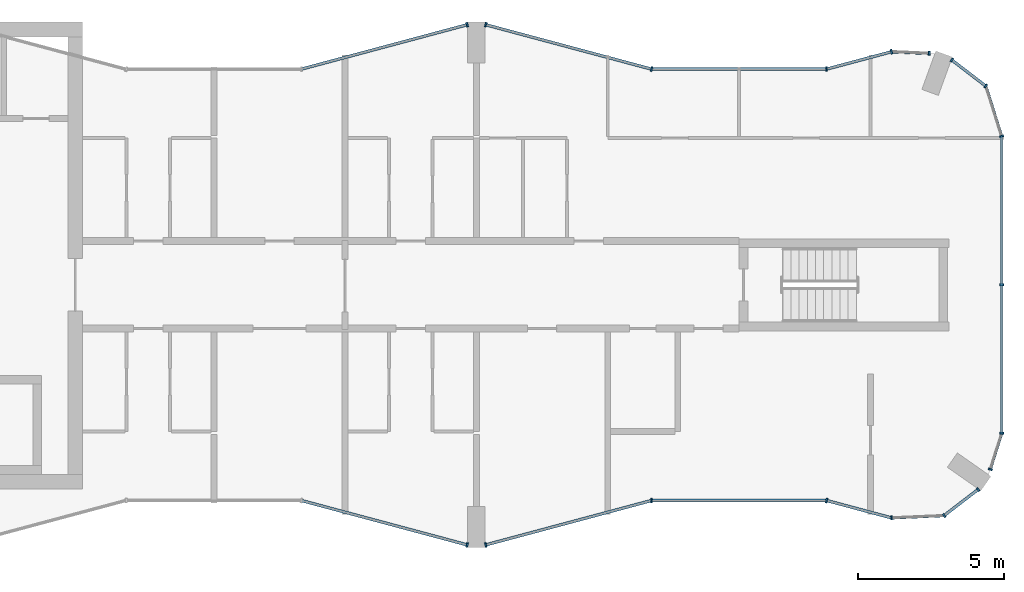
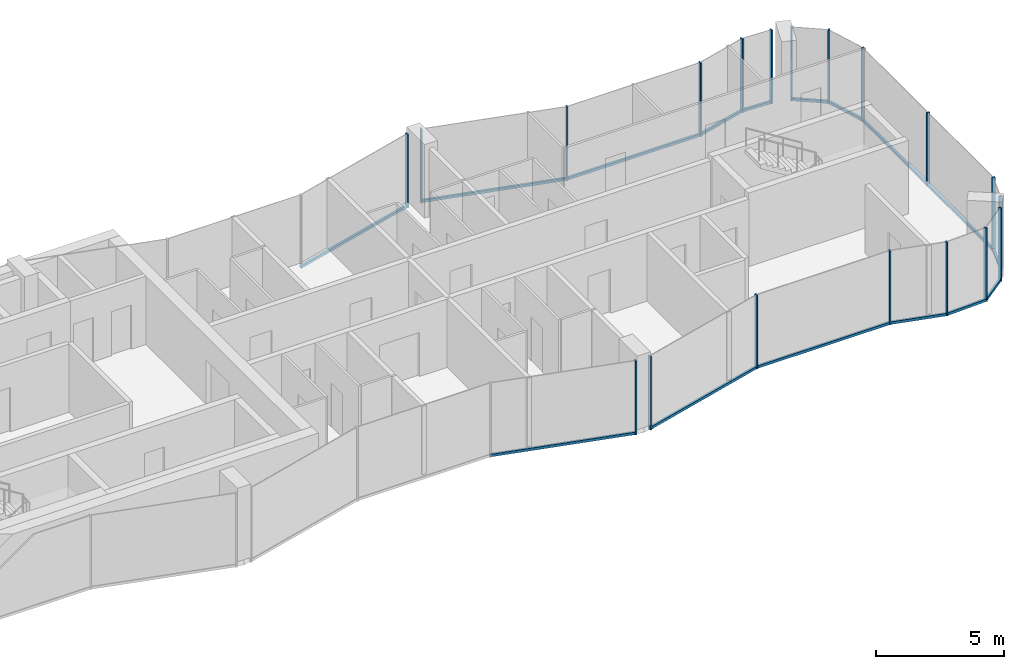
# One storey, part 5 of 10: 34 members, 15 elements without a shape of their own.
"""IFC4 building model written with IfcOpenShell, lengths in metres."""

from ifc_helpers import new_model, si_unit, direction, frame, origin, origin_2d, place, context, subcontext, project, spatial, rectangle, extrude, material, layer, layer_set, material_profile, profile_set, type_object, element, aggregate, save


model = new_model("IFC4")

# Units and contexts
model_context = context("Model", 3, precision=1e-05, world=origin(), true_north=direction((0.0, 1.0)))
body_context = subcontext(model_context, "Body", "Model", "MODEL_VIEW")
ifc_project = project(units=[si_unit("LENGTHUNIT", "METRE"), si_unit("AREAUNIT", "SQUARE_METRE"), si_unit("VOLUMEUNIT", "CUBIC_METRE"), si_unit("PLANEANGLEUNIT", "RADIAN"), si_unit("MASSUNIT", "GRAM", prefix="KILO")], contexts=[model_context])

# Site, building, storey
site_placement = place(None, origin())
site = spatial("IfcSite", under=ifc_project, at=site_placement, CompositionType="ELEMENT")
building_placement = place(site_placement, origin())
building = spatial("IfcBuilding", under=site, at=building_placement, Name="Plateau Cross Towers", CompositionType="ELEMENT")
storey_placement = place(building_placement, frame((0.0, 0.0, 252.89990234375)))
storey = spatial("IfcBuildingStorey", under=building, at=storey_placement, Name="L66", CompositionType="ELEMENT", Elevation=252.89990234375)

# Curtain wall, member
ifc_material_1 = material(Name="Dark low-iron glass", Category="glass")
ifc_layer_1 = layer(ifc_material_1, 0.239990234375)
ifc_layer_set_1 = layer_set([ifc_layer_1], Name="Dark low-iron glass")
curtain_wall_type_1 = type_object("IfcCurtainWallType", Name="Curtain wall flush unitised CW-B", PredefinedType="NOTDEFINED", material=ifc_layer_set_1)
curtain_wall_1_placement = place(storey_placement, origin())
curtain_wall_1 = element("IfcCurtainWall", 1, at=curtain_wall_1_placement, inside=storey, type_object=curtain_wall_type_1, Name="ENV/A/L66/A502_10", PredefinedType="NOTDEFINED")
ifc_material_2 = material(Name="Black anodised aluminium", Category="aluminium")
ifc_material_profile_1 = material_profile(ifc_material_2, rectangle(XDim=0.06005859375, YDim=0.139892578125, at=origin_2d()), Name="MULLION 60x140")
ifc_profile_set_1 = profile_set([ifc_material_profile_1], Name="Black anodised aluminium")
member_type_1 = type_object("IfcMemberType", Name="Mullion 60x140 flush unitised", PredefinedType="MULLION", material=ifc_profile_set_1)
member_1_placement = place(storey_placement, frame((50.223876953125, 1.01123046875, -0.25), z_axis=(0.0, 0.0, 1.0), x_axis=(0.999043701491, 0.043722791671, 0.0)))
member_1 = element("IfcMember", 2, at=member_1_placement, type_object=member_type_1, Name="CW-B mullion 1", PredefinedType="MULLION", context=body_context, shape_type="SweptSolid", body=[
    extrude(rectangle(XDim=0.06005859375, YDim=0.139892578125, at=origin_2d()), origin(), (0.0, 0.0, 1.0), 3.5),
])

# Curtain wall, members
curtain_wall_2_placement = place(storey_placement, origin())
curtain_wall_2 = element("IfcCurtainWall", 3, at=curtain_wall_2_placement, inside=storey, type_object=curtain_wall_type_1, Name="ENV/A/L66/A520_11", PredefinedType="NOTDEFINED")
member_2_placement = place(storey_placement, frame((52.0263671875, 1.090087890625, -0.25), z_axis=(0.0, 0.0, 1.0), x_axis=(0.793315514529, 0.608810721331, 0.0)))
member_2 = element("IfcMember", 4, at=member_2_placement, type_object=member_type_1, Name="CW-B mullion 1", PredefinedType="MULLION", context=body_context, shape_type="SweptSolid", body=[
    extrude(rectangle(XDim=0.06005859375, YDim=0.139892578125, at=origin_2d()), origin(), (0.0, 0.0, 1.0), 3.5),
])
member_3_placement = place(storey_placement, frame((53.193603515625, 1.986083984375, -0.25), z_axis=(0.0, 0.0, 1.0), x_axis=(0.793315514529, 0.608810721331, 0.0)))
member_3 = element("IfcMember", 5, at=member_3_placement, type_object=member_type_1, Name="CW-B mullion 2", PredefinedType="MULLION", context=body_context, shape_type="SweptSolid", body=[
    extrude(rectangle(XDim=0.06005859375, YDim=0.139892578125, at=origin_2d()), origin(), (0.0, 0.0, 1.0), 3.5),
])

# Curtain wall, member
curtain_wall_3_placement = place(storey_placement, origin())
curtain_wall_3 = element("IfcCurtainWall", 6, at=curtain_wall_3_placement, inside=storey, type_object=curtain_wall_type_1, Name="ENV/A/L66/A536_27", PredefinedType="NOTDEFINED")
member_4_placement = place(storey_placement, frame((53.611083984375, 2.67529296875, -0.25), z_axis=(0.0, 0.0, 1.0), x_axis=(0.300686174994, 0.95372313811, 0.0)))
member_4 = element("IfcMember", 7, at=member_4_placement, type_object=member_type_1, Name="CW-B mullion 1", PredefinedType="MULLION", context=body_context, shape_type="SweptSolid", body=[
    extrude(rectangle(XDim=0.06005859375, YDim=0.139892578125, at=origin_2d()), origin(), (0.0, 0.0, 1.0), 3.5),
])

# Curtain wall, members
curtain_wall_4_placement = place(storey_placement, origin())
curtain_wall_4 = element("IfcCurtainWall", 8, at=curtain_wall_4_placement, inside=storey, type_object=curtain_wall_type_1, Name="ENV/A/L66/A540_39", PredefinedType="NOTDEFINED")
member_5_placement = place(storey_placement, frame((54.0, 3.9091796875, -0.25), z_axis=(0.0, 0.0, 1.0), x_axis=(0.0, 1.0, 0.0)))
member_5 = element("IfcMember", 9, at=member_5_placement, type_object=member_type_1, Name="CW-B mullion 1", PredefinedType="MULLION", context=body_context, shape_type="SweptSolid", body=[
    extrude(rectangle(XDim=0.06005859375, YDim=0.139892578125, at=origin_2d()), origin(), (0.0, 0.0, 1.0), 3.5),
])
member_6_placement = place(storey_placement, frame((54.0, 9.0, -0.25), z_axis=(0.0, 0.0, 1.0), x_axis=(0.0, 1.0, 0.0)))
member_6 = element("IfcMember", 10, at=member_6_placement, type_object=member_type_1, Name="CW-B mullion 2", PredefinedType="MULLION", context=body_context, shape_type="SweptSolid", body=[
    extrude(rectangle(XDim=0.06005859375, YDim=0.139892578125, at=origin_2d()), origin(), (0.0, 0.0, 1.0), 3.5),
])

# Curtain wall, member
curtain_wall_5_placement = place(storey_placement, origin())
curtain_wall_5 = element("IfcCurtainWall", 11, at=curtain_wall_5_placement, inside=storey, type_object=curtain_wall_type_1, Name="ENV/A/L66/A540_141", PredefinedType="NOTDEFINED")
member_7_placement = place(storey_placement, frame((54.0, 14.0908203125, -0.25), z_axis=(0.0, 0.0, 1.0), x_axis=(-0.300686174994, 0.95372313811, 0.0)))
member_7 = element("IfcMember", 12, at=member_7_placement, type_object=member_type_1, Name="CW-B mullion 1", PredefinedType="MULLION", context=body_context, shape_type="SweptSolid", body=[
    extrude(rectangle(XDim=0.06005859375, YDim=0.139892578125, at=origin_2d()), origin(), (0.0, 0.0, 1.0), 3.5),
])

# Curtain wall, members
curtain_wall_6_placement = place(storey_placement, origin())
curtain_wall_6 = element("IfcCurtainWall", 13, at=curtain_wall_6_placement, inside=storey, type_object=curtain_wall_type_1, Name="ENV/A/L66/A535_158", PredefinedType="NOTDEFINED")
member_8_placement = place(storey_placement, frame((53.45751953125, 15.8115234375, -0.25), z_axis=(0.0, 0.0, 1.0), x_axis=(-0.793315514529, 0.608810721331, 0.0)))
member_8 = element("IfcMember", 14, at=member_8_placement, type_object=member_type_1, Name="CW-B mullion 1", PredefinedType="MULLION", context=body_context, shape_type="SweptSolid", body=[
    extrude(rectangle(XDim=0.06005859375, YDim=0.139892578125, at=origin_2d()), origin(), (0.0, 0.0, 1.0), 3.5),
])
member_9_placement = place(storey_placement, frame((52.290283203125, 16.707275390625, -0.25), z_axis=(0.0, 0.0, 1.0), x_axis=(-0.793315514529, 0.608810721331, 0.0)))
member_9 = element("IfcMember", 15, at=member_9_placement, type_object=member_type_1, Name="CW-B mullion 2", PredefinedType="MULLION", context=body_context, shape_type="SweptSolid", body=[
    extrude(rectangle(XDim=0.06005859375, YDim=0.139892578125, at=origin_2d()), origin(), (0.0, 0.0, 1.0), 3.5),
])

# Curtain wall, member
curtain_wall_7_placement = place(storey_placement, origin())
curtain_wall_7 = element("IfcCurtainWall", 16, at=curtain_wall_7_placement, inside=storey, type_object=curtain_wall_type_1, Name="ENV/A/L66/A515_169", PredefinedType="NOTDEFINED")
member_10_placement = place(storey_placement, frame((51.516357421875, 16.93212890625, -0.25), z_axis=(0.0, 0.0, 1.0), x_axis=(-0.999043701491, 0.043722791671, 0.0)))
member_10 = element("IfcMember", 17, at=member_10_placement, type_object=member_type_1, Name="CW-B mullion 1", PredefinedType="MULLION", context=body_context, shape_type="SweptSolid", body=[
    extrude(rectangle(XDim=0.06005859375, YDim=0.139892578125, at=origin_2d()), origin(), (0.0, 0.0, 1.0), 3.5),
])

ifc_layer_2 = layer(ifc_material_1, 0.260009765625)
ifc_layer_set_2 = layer_set([ifc_layer_2], Name="Dark low-iron glass")
curtain_wall_type_2 = type_object("IfcCurtainWallType", Name="Curtain wall fluted unitised CW-A", PredefinedType="NOTDEFINED", material=ifc_layer_set_2)
curtain_wall_8_placement = place(storey_placement, origin())
curtain_wall_8 = element("IfcCurtainWall", 18, at=curtain_wall_8_placement, inside=storey, type_object=curtain_wall_type_2, Name="ENV/A/L66/A300_16", PredefinedType="NOTDEFINED")
ifc_material_profile_2 = material_profile(ifc_material_2, rectangle(XDim=0.06005859375, YDim=0.159912109375, at=origin_2d()), Name="MULLION 60x160")
ifc_profile_set_2 = profile_set([ifc_material_profile_2], Name="Black anodised aluminium")
member_type_2 = type_object("IfcMemberType", Name="Mullion 60x160 fluted unitised", PredefinedType="MULLION", material=ifc_profile_set_2)
member_11_placement = place(storey_placement, frame((35.68212890625, 0.085205078125, -0.25), z_axis=(0.0, 0.0, 1.0), x_axis=(0.965957983404, -0.258699003279, 0.0)))
member_11 = element("IfcMember", 19, at=member_11_placement, type_object=member_type_2, Name="CW-A mullion 2", PredefinedType="MULLION", context=body_context, shape_type="SweptSolid", body=[
    extrude(rectangle(XDim=0.06005859375, YDim=0.159912109375, at=origin_2d()), origin(), (0.0, 0.0, 1.0), 3.5),
])

curtain_wall_9_placement = place(storey_placement, origin())
curtain_wall_9 = element("IfcCurtainWall", 20, at=curtain_wall_9_placement, inside=storey, type_object=curtain_wall_type_2, Name="ENV/A/L66/A363_1", PredefinedType="NOTDEFINED")
member_12_placement = place(storey_placement, frame((36.31787109375, 0.085205078125, -0.25), z_axis=(0.0, 0.0, 1.0), x_axis=(0.965957983404, 0.258699003279, 0.0)))
member_12 = element("IfcMember", 21, at=member_12_placement, type_object=member_type_2, Name="CW-A mullion 1", PredefinedType="MULLION", context=body_context, shape_type="SweptSolid", body=[
    extrude(rectangle(XDim=0.06005859375, YDim=0.159912109375, at=origin_2d()), origin(), (0.0, 0.0, 1.0), 3.5),
])

curtain_wall_10_placement = place(storey_placement, origin())
curtain_wall_10 = element("IfcCurtainWall", 22, at=curtain_wall_10_placement, inside=storey, type_object=curtain_wall_type_2, Name="ENV/A/L66/A420_16", PredefinedType="NOTDEFINED")
member_13_placement = place(storey_placement, frame((42.0, 1.60693359375, -0.25), z_axis=(0.0, 0.0, 1.0), x_axis=(1.0, 0.0, 0.0)))
member_13 = element("IfcMember", 23, at=member_13_placement, type_object=member_type_2, Name="CW-A mullion 1", PredefinedType="MULLION", context=body_context, shape_type="SweptSolid", body=[
    extrude(rectangle(XDim=0.06005859375, YDim=0.159912109375, at=origin_2d()), origin(), (0.0, 0.0, 1.0), 3.5),
])

curtain_wall_11_placement = place(storey_placement, origin())
curtain_wall_11 = element("IfcCurtainWall", 24, at=curtain_wall_11_placement, inside=storey, type_object=curtain_wall_type_2, Name="ENV/A/L66/A480_16", PredefinedType="NOTDEFINED")
member_14_placement = place(storey_placement, frame((48.0, 1.60693359375, -0.25), z_axis=(0.0, 0.0, 1.0), x_axis=(0.965957962328, -0.258699081978, 0.0)))
member_14 = element("IfcMember", 25, at=member_14_placement, type_object=member_type_2, Name="CW-A mullion 1", PredefinedType="MULLION", context=body_context, shape_type="SweptSolid", body=[
    extrude(rectangle(XDim=0.06005859375, YDim=0.159912109375, at=origin_2d()), origin(), (0.0, 0.0, 1.0), 3.5),
])

curtain_wall_12_placement = place(storey_placement, origin())
curtain_wall_12 = element("IfcCurtainWall", 26, at=curtain_wall_12_placement, inside=storey, type_object=curtain_wall_type_2, Name="ENV/A/L66/A502_170", PredefinedType="NOTDEFINED")
member_15_placement = place(storey_placement, frame((50.223876953125, 16.98876953125, -0.25), z_axis=(0.0, 0.0, 1.0), x_axis=(-0.965957962328, -0.258699081978, 0.0)))
member_15 = element("IfcMember", 27, at=member_15_placement, type_object=member_type_2, Name="CW-A mullion 1", PredefinedType="MULLION", context=body_context, shape_type="SweptSolid", body=[
    extrude(rectangle(XDim=0.06005859375, YDim=0.159912109375, at=origin_2d()), origin(), (0.0, 0.0, 1.0), 3.5),
])

curtain_wall_13_placement = place(storey_placement, origin())
curtain_wall_13 = element("IfcCurtainWall", 28, at=curtain_wall_13_placement, inside=storey, type_object=curtain_wall_type_2, Name="ENV/A/L66/A480_164", PredefinedType="NOTDEFINED")
member_16_placement = place(storey_placement, frame((48.0, 16.39306640625, -0.25), z_axis=(0.0, 0.0, 1.0), x_axis=(-1.0, 0.0, 0.0)))
member_16 = element("IfcMember", 29, at=member_16_placement, type_object=member_type_2, Name="CW-A mullion 1", PredefinedType="MULLION", context=body_context, shape_type="SweptSolid", body=[
    extrude(rectangle(XDim=0.06005859375, YDim=0.159912109375, at=origin_2d()), origin(), (0.0, 0.0, 1.0), 3.5),
])

# Curtain wall, members
curtain_wall_14_placement = place(storey_placement, origin())
curtain_wall_14 = element("IfcCurtainWall", 30, at=curtain_wall_14_placement, inside=storey, type_object=curtain_wall_type_2, Name="ENV/A/L66/A420_164", PredefinedType="NOTDEFINED")
member_17_placement = place(storey_placement, frame((42.0, 16.39306640625, -0.25), z_axis=(0.0, 0.0, 1.0), x_axis=(-0.965957983404, 0.258699003279, 0.0)))
member_17 = element("IfcMember", 31, at=member_17_placement, type_object=member_type_2, Name="CW-A mullion 1", PredefinedType="MULLION", context=body_context, shape_type="SweptSolid", body=[
    extrude(rectangle(XDim=0.06005859375, YDim=0.159912109375, at=origin_2d()), origin(), (0.0, 0.0, 1.0), 3.5),
])
member_18_placement = place(storey_placement, frame((36.31787109375, 17.914794921875, -0.25), z_axis=(0.0, 0.0, 1.0), x_axis=(-0.965957983404, 0.258699003279, 0.0)))
member_18 = element("IfcMember", 32, at=member_18_placement, type_object=member_type_2, Name="CW-A mullion 2", PredefinedType="MULLION", context=body_context, shape_type="SweptSolid", body=[
    extrude(rectangle(XDim=0.06005859375, YDim=0.159912109375, at=origin_2d()), origin(), (0.0, 0.0, 1.0), 3.5),
])

# Curtain wall, member
curtain_wall_15_placement = place(storey_placement, origin())
curtain_wall_15 = element("IfcCurtainWall", 33, at=curtain_wall_15_placement, inside=storey, type_object=curtain_wall_type_2, Name="ENV/A/L66/A357_179", PredefinedType="NOTDEFINED")
member_19_placement = place(storey_placement, frame((35.68212890625, 17.914794921875, -0.25), z_axis=(0.0, 0.0, 1.0), x_axis=(-0.965957983404, -0.258699003279, 0.0)))
member_19 = element("IfcMember", 34, at=member_19_placement, type_object=member_type_2, Name="CW-A mullion 1", PredefinedType="MULLION", context=body_context, shape_type="SweptSolid", body=[
    extrude(rectangle(XDim=0.06005859375, YDim=0.159912109375, at=origin_2d()), origin(), (0.0, 0.0, 1.0), 3.5),
])

# Member
ifc_material_profile_3 = material_profile(ifc_material_2, rectangle(XDim=0.10009765625, YDim=0.1201171875, at=origin_2d()), Name="TRANSOM 100x120")
ifc_profile_set_3 = profile_set([ifc_material_profile_3], Name="Black anodised aluminium")
member_type_3 = type_object("IfcMemberType", Name="Transom 100x120 flush unitised", PredefinedType="USERDEFINED", material=ifc_profile_set_3)
member_20_placement = place(storey_placement, frame((50.223876953125, 1.01123046875, -0.18994140625), z_axis=(0.999044377355, 0.043707345779, 0.0), x_axis=(-0.043707345779, 0.999044377355, 0.0)))
member_20 = element("IfcMember", 35, at=member_20_placement, type_object=member_type_3, Name="CW-B transom", ObjectType="TRANSOM", PredefinedType="USERDEFINED", context=body_context, shape_type="SweptSolid", body=[
    extrude(rectangle(XDim=0.10009765625, YDim=0.1201171875, at=origin_2d()), origin(), (0.0, 0.0, 1.0), 1.80419921875),
])

aggregate(curtain_wall_1, [member_1, member_20])

member_21_placement = place(storey_placement, frame((52.0263671875, 1.090087890625, -0.18994140625), z_axis=(0.793240368515, 0.608908628415, 0.0), x_axis=(-0.608908628415, 0.793240368515, 0.0)))
member_21 = element("IfcMember", 36, at=member_21_placement, type_object=member_type_3, Name="CW-B transom", ObjectType="TRANSOM", PredefinedType="USERDEFINED", context=body_context, shape_type="SweptSolid", body=[
    extrude(rectangle(XDim=0.10009765625, YDim=0.1201171875, at=origin_2d()), origin(), (0.0, 0.0, 1.0), 1.471435546875),
])

aggregate(curtain_wall_2, [member_2, member_3, member_21])

member_22_placement = place(storey_placement, frame((53.611083984375, 2.67529296875, -0.18994140625), z_axis=(0.300616528216, 0.953745093284, 0.0), x_axis=(-0.953745093284, 0.300616528216, 0.0)))
member_22 = element("IfcMember", 37, at=member_22_placement, type_object=member_type_3, Name="CW-B transom", ObjectType="TRANSOM", PredefinedType="USERDEFINED", context=body_context, shape_type="SweptSolid", body=[
    extrude(rectangle(XDim=0.10009765625, YDim=0.1201171875, at=origin_2d()), origin(), (0.0, 0.0, 1.0), 1.293701171875),
])

aggregate(curtain_wall_3, [member_4, member_22])

member_23_placement = place(storey_placement, frame((54.0, 3.9091796875, -0.18994140625), z_axis=(0.0, 1.0, 0.0), x_axis=(-1.0, 0.0, 0.0)))
member_23 = element("IfcMember", 38, at=member_23_placement, type_object=member_type_3, Name="CW-B transom", ObjectType="TRANSOM", PredefinedType="USERDEFINED", context=body_context, shape_type="SweptSolid", body=[
    extrude(rectangle(XDim=0.10009765625, YDim=0.1201171875, at=origin_2d()), origin(), (0.0, 0.0, 1.0), 10.181640625),
])

aggregate(curtain_wall_4, [member_5, member_6, member_23])

member_24_placement = place(storey_placement, frame((54.0, 14.0908203125, -0.18994140625), z_axis=(-0.30067799945, 0.953725715626, 0.0), x_axis=(-0.953725715626, -0.30067799945, 0.0)))
member_24 = element("IfcMember", 39, at=member_24_placement, type_object=member_type_3, Name="CW-B transom", ObjectType="TRANSOM", PredefinedType="USERDEFINED", context=body_context, shape_type="SweptSolid", body=[
    extrude(rectangle(XDim=0.10009765625, YDim=0.1201171875, at=origin_2d()), origin(), (0.0, 0.0, 1.0), 1.80419921875),
])

aggregate(curtain_wall_5, [member_7, member_24])

member_25_placement = place(storey_placement, frame((53.45751953125, 15.8115234375, -0.18994140625), z_axis=(-0.793320508571, 0.608804213751, 0.0), x_axis=(-0.608804213751, -0.793320508571, 0.0)))
member_25 = element("IfcMember", 40, at=member_25_placement, type_object=member_type_3, Name="CW-B transom", ObjectType="TRANSOM", PredefinedType="USERDEFINED", context=body_context, shape_type="SweptSolid", body=[
    extrude(rectangle(XDim=0.10009765625, YDim=0.1201171875, at=origin_2d()), origin(), (0.0, 0.0, 1.0), 1.471435546875),
])

aggregate(curtain_wall_6, [member_8, member_9, member_25])

member_26_placement = place(storey_placement, frame((51.516357421875, 16.93212890625, -0.18994140625), z_axis=(-0.999041144614, 0.043781175963, 0.0), x_axis=(-0.043781175963, -0.999041144614, 0.0)))
member_26 = element("IfcMember", 41, at=member_26_placement, type_object=member_type_3, Name="CW-B transom", ObjectType="TRANSOM", PredefinedType="USERDEFINED", context=body_context, shape_type="SweptSolid", body=[
    extrude(rectangle(XDim=0.10009765625, YDim=0.1201171875, at=origin_2d()), origin(), (0.0, 0.0, 1.0), 1.293701171875),
])

aggregate(curtain_wall_7, [member_10, member_26])

ifc_material_profile_4 = material_profile(ifc_material_2, rectangle(XDim=0.10009765625, YDim=0.1201171875, at=origin_2d()), Name="TRANSOM 100x120")
ifc_profile_set_4 = profile_set([ifc_material_profile_4], Name="Black anodised aluminium")
member_type_4 = type_object("IfcMemberType", Name="Transom 100x120 fluted unitised", PredefinedType="USERDEFINED", material=ifc_profile_set_4)
member_27_placement = place(storey_placement, frame((30.0, 1.60693359375, -0.18994140625), z_axis=(0.965959534794, -0.258693210465, 0.0), x_axis=(0.258693210465, 0.965959534794, 0.0)))
member_27 = element("IfcMember", 42, at=member_27_placement, type_object=member_type_4, Name="CW-A transom", ObjectType="TRANSOM", PredefinedType="USERDEFINED", context=body_context, shape_type="SweptSolid", body=[
    extrude(rectangle(XDim=0.10009765625, YDim=0.1201171875, at=origin_2d()), origin(), (0.0, 0.0, 1.0), 5.88232421875),
])

aggregate(curtain_wall_8, [member_11, member_27])

member_28_placement = place(storey_placement, frame((36.31787109375, 0.085205078125, -0.18994140625), z_axis=(0.965959534794, 0.258693210465, 0.0), x_axis=(-0.258693210465, 0.965959534794, 0.0)))
member_28 = element("IfcMember", 43, at=member_28_placement, type_object=member_type_4, Name="CW-A transom", ObjectType="TRANSOM", PredefinedType="USERDEFINED", context=body_context, shape_type="SweptSolid", body=[
    extrude(rectangle(XDim=0.10009765625, YDim=0.1201171875, at=origin_2d()), origin(), (0.0, 0.0, 1.0), 5.88232421875),
])

aggregate(curtain_wall_9, [member_12, member_28])

member_29_placement = place(storey_placement, frame((42.0, 1.60693359375, -0.18994140625), z_axis=(1.0, 0.0, 0.0), x_axis=(0.0, 1.0, 0.0)))
member_29 = element("IfcMember", 44, at=member_29_placement, type_object=member_type_4, Name="CW-A transom", ObjectType="TRANSOM", PredefinedType="USERDEFINED", context=body_context, shape_type="SweptSolid", body=[
    extrude(rectangle(XDim=0.10009765625, YDim=0.1201171875, at=origin_2d()), origin(), (0.0, 0.0, 1.0), 6.0),
])

aggregate(curtain_wall_10, [member_13, member_29])

member_30_placement = place(storey_placement, frame((48.0, 1.60693359375, -0.18994140625), z_axis=(0.965945685136, -0.258744919501, 0.0), x_axis=(0.258744919501, 0.965945685136, 0.0)))
member_30 = element("IfcMember", 45, at=member_30_placement, type_object=member_type_4, Name="CW-A transom", ObjectType="TRANSOM", PredefinedType="USERDEFINED", context=body_context, shape_type="SweptSolid", body=[
    extrude(rectangle(XDim=0.10009765625, YDim=0.1201171875, at=origin_2d()), origin(), (0.0, 0.0, 1.0), 2.30224609375),
])

aggregate(curtain_wall_11, [member_14, member_30])

member_31_placement = place(storey_placement, frame((50.223876953125, 16.98876953125, -0.18994140625), z_axis=(-0.965945685136, -0.258744919501, 0.0), x_axis=(0.258744919501, -0.965945685136, 0.0)))
member_31 = element("IfcMember", 46, at=member_31_placement, type_object=member_type_4, Name="CW-A transom", ObjectType="TRANSOM", PredefinedType="USERDEFINED", context=body_context, shape_type="SweptSolid", body=[
    extrude(rectangle(XDim=0.10009765625, YDim=0.1201171875, at=origin_2d()), origin(), (0.0, 0.0, 1.0), 2.30224609375),
])

aggregate(curtain_wall_12, [member_15, member_31])

member_32_placement = place(storey_placement, frame((48.0, 16.39306640625, -0.18994140625), z_axis=(-1.0, 0.0, 0.0), x_axis=(0.0, -1.0, 0.0)))
member_32 = element("IfcMember", 47, at=member_32_placement, type_object=member_type_4, Name="CW-A transom", ObjectType="TRANSOM", PredefinedType="USERDEFINED", context=body_context, shape_type="SweptSolid", body=[
    extrude(rectangle(XDim=0.10009765625, YDim=0.1201171875, at=origin_2d()), origin(), (0.0, 0.0, 1.0), 6.0),
])

aggregate(curtain_wall_13, [member_16, member_32])

member_33_placement = place(storey_placement, frame((42.0, 16.39306640625, -0.18994140625), z_axis=(-0.965959534794, 0.258693210465, 0.0), x_axis=(-0.258693210465, -0.965959534794, 0.0)))
member_33 = element("IfcMember", 48, at=member_33_placement, type_object=member_type_4, Name="CW-A transom", ObjectType="TRANSOM", PredefinedType="USERDEFINED", context=body_context, shape_type="SweptSolid", body=[
    extrude(rectangle(XDim=0.10009765625, YDim=0.1201171875, at=origin_2d()), origin(), (0.0, 0.0, 1.0), 5.88232421875),
])

aggregate(curtain_wall_14, [member_17, member_18, member_33])

member_34_placement = place(storey_placement, frame((35.68212890625, 17.914794921875, -0.18994140625), z_axis=(-0.965959534794, -0.258693210465, 0.0), x_axis=(0.258693210465, -0.965959534794, 0.0)))
member_34 = element("IfcMember", 49, at=member_34_placement, type_object=member_type_4, Name="CW-A transom", ObjectType="TRANSOM", PredefinedType="USERDEFINED", context=body_context, shape_type="SweptSolid", body=[
    extrude(rectangle(XDim=0.10009765625, YDim=0.1201171875, at=origin_2d()), origin(), (0.0, 0.0, 1.0), 5.88232421875),
])

aggregate(curtain_wall_15, [member_19, member_34])

save(model, "model.ifc")
